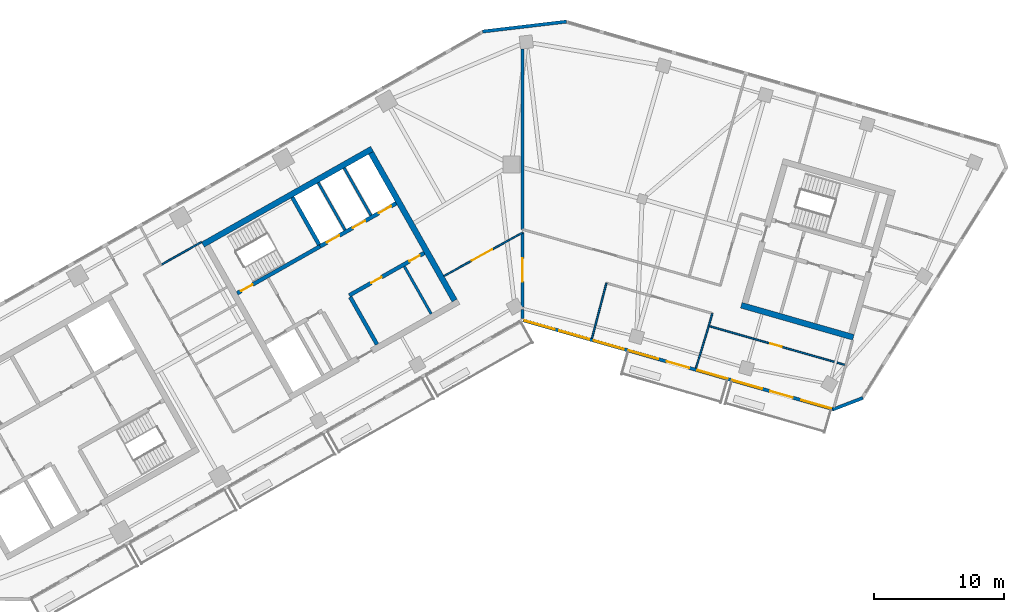
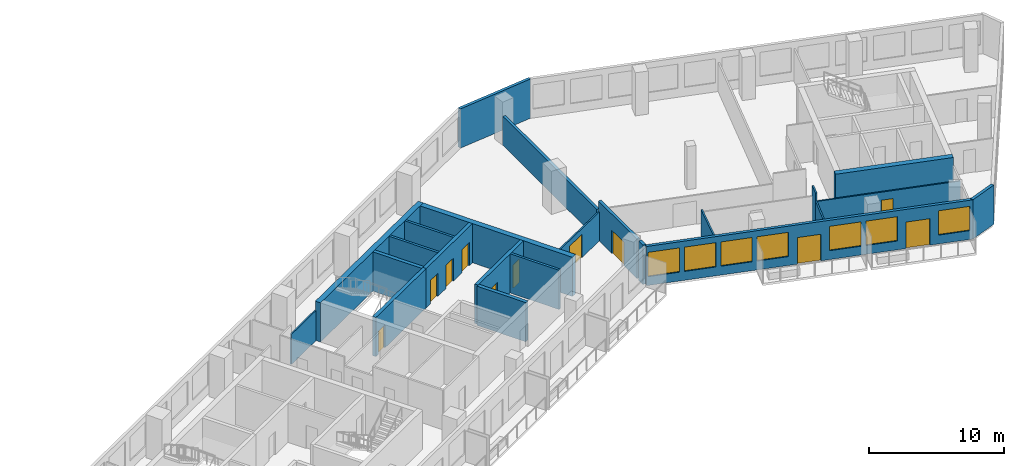
# One storey, part 6 of 11: 23 walls, 11 doors, 7 windows, 18 openings.
"""IFC4 building model written with IfcOpenShell, lengths in metres."""

from ifc_helpers import new_model, si_unit, direction, frame, frame_2d, origin, place, context, subcontext, project, spatial, rectangle, extrude, material, layer, layer_set, type_object, element, fill, save


model = new_model("IFC4")

# Units and contexts
model_context = context("Model", 3, precision=1e-05, world=origin(), true_north=direction((0.0, 1.0)))
body_context = subcontext(model_context, "Body", "Model", "MODEL_VIEW")
ifc_project = project(units=[si_unit("LENGTHUNIT", "METRE"), si_unit("AREAUNIT", "SQUARE_METRE"), si_unit("VOLUMEUNIT", "CUBIC_METRE"), si_unit("PLANEANGLEUNIT", "RADIAN"), si_unit("MASSUNIT", "GRAM", prefix="KILO")], contexts=[model_context])

# Site, building, storey
site_placement = place(None, origin())
site = spatial("IfcSite", under=ifc_project, at=site_placement, CompositionType="ELEMENT")
building_placement = place(site_placement, origin())
building = spatial("IfcBuilding", under=site, at=building_placement, Name="Binnacle Exchange Tower", CompositionType="ELEMENT")
storey_placement = place(building_placement, frame((0.0, 0.0, 227.0)))
storey = spatial("IfcBuildingStorey", under=building, at=storey_placement, Name="L50", CompositionType="ELEMENT", Elevation=227.0)

# Wall
ifc_material_1 = material(Name="Gypsum partition fire rated")
ifc_layer_1 = layer(ifc_material_1, 0.199951171875)
ifc_layer_set_1 = layer_set([ifc_layer_1], Name="Core partition 200")
wall_type_1 = type_object("IfcWallType", Name="Core partition 200", PredefinedType="PARTITIONING", material=ifc_layer_set_1)
wall_1_placement = place(storey_placement, frame((-9.11279296875, 52.14404296875, 0.0), z_axis=(0.0, 0.0, 1.0), x_axis=(0.492365617434, -0.870388475779, 0.0)))
element("IfcWall", 1, at=wall_1_placement, inside=storey, type_object=wall_type_1, Name="Core wall CRWC22", PredefinedType="PARTITIONING", context=body_context, shape_type="SweptSolid", body=[
    extrude(rectangle(XDim=4.199951171875, YDim=0.199951171875, at=frame_2d((2.10009765625, 0.0))), origin(), (0.0, 0.0, 1.0), 3.550048828125),
])

# Wall, openings, doors
ifc_material_2 = material(Name="Concrete C70/85", Category="concrete")
ifc_layer_2 = layer(ifc_material_2, 0.300048828125)
ifc_layer_set_2 = layer_set([ifc_layer_2], Name="Core wall - front 300")
wall_type_2 = type_object("IfcWallType", Name="Core wall - front 300", PredefinedType="SOLIDWALL", material=ifc_layer_set_2)
wall_2_placement = place(storey_placement, frame((-13.364501953125, 49.910888671875, 0.0), z_axis=(0.0, 0.0, 1.0), x_axis=(0.870352159619, 0.492429810477, 0.0)))
wall_2 = element("IfcWall", 2, at=wall_2_placement, inside=storey, type_object=wall_type_2, Name="Core wall CRWC3", PredefinedType="SOLIDWALL", context=body_context, shape_type="SweptSolid", body=[
    extrude(rectangle(XDim=6.64990234375, YDim=0.300048828125, at=frame_2d((3.324951171875, 0.0))), origin(), (0.0, 0.0, 1.0), 3.550048828125),
])
opening_1_placement = place(wall_2_placement, frame((1.949951171875, 0.0, 0.0)))
opening_1 = element("IfcOpeningElement", 3, at=opening_1_placement, cuts=wall_2, Name="Opening DC18", PredefinedType="OPENING", context=body_context, shape_type="SweptSolid", body=[
    extrude(rectangle(XDim=0.89990234375, YDim=2.10009765625, at=frame_2d((0.449951171875, 1.050048828125))), frame((0.0, 0.159912109375, 0.0), z_axis=(0.0, -1.0, 0.0), x_axis=(1.0, 0.0, 0.0)), (0.0, 0.0, 1.0), 0.320068359375),
])
opening_2_placement = place(wall_2_placement, frame((5.35009765625, 0.0, 0.0)))
opening_2 = element("IfcOpeningElement", 4, at=opening_2_placement, cuts=wall_2, Name="Opening DC19", PredefinedType="OPENING", context=body_context, shape_type="SweptSolid", body=[
    extrude(rectangle(XDim=0.89990234375, YDim=2.10009765625, at=frame_2d((0.449951171875, 1.050048828125))), frame((0.0, 0.159912109375, 0.0), z_axis=(0.0, -1.0, 0.0), x_axis=(1.0, 0.0, 0.0)), (0.0, 0.0, 1.0), 0.320068359375),
])
ifc_material_3 = material(Name="Steel door leaf", Category="steel")
door_type_1 = type_object("IfcDoorType", Name="Fire door 900", OperationType="NOTDEFINED", PredefinedType="DOOR", material=ifc_material_3)
door_1_placement = place(opening_1_placement, frame((0.89990234375, 0.0, 0.0), z_axis=(0.0, 0.0, 1.0), x_axis=(-1.0, 0.0, 0.0)))
door_1 = element("IfcDoor", 5, at=door_1_placement, inside=storey, type_object=door_type_1, Name="Core room door TELECOM RISER ROOM", OperationType="SINGLE_SWING_RIGHT", OverallHeight=2.10009765625, OverallWidth=0.89990234375, PredefinedType="DOOR", context=body_context, shape_type="SweptSolid", body=[
    extrude(rectangle(XDim=0.89990234375, YDim=2.10009765625, at=frame_2d((0.449951171875, 1.050048828125))), frame((0.0, 0.02490234375, 0.0), z_axis=(0.0, -1.0, 0.0), x_axis=(1.0, 0.0, 0.0)), (0.0, 0.0, 1.0), 0.050048828125),
])
fill(opening_1, door_1)
door_2_placement = place(opening_2_placement, frame((0.89990234375, 0.0, 0.0), z_axis=(0.0, 0.0, 1.0), x_axis=(-1.0, 0.0, 0.0)))
door_2 = element("IfcDoor", 6, at=door_2_placement, inside=storey, type_object=door_type_1, Name="Core room door IT STORE", OperationType="SINGLE_SWING_LEFT", OverallHeight=2.10009765625, OverallWidth=0.89990234375, PredefinedType="DOOR", context=body_context, shape_type="SweptSolid", body=[
    extrude(rectangle(XDim=0.89990234375, YDim=2.10009765625, at=frame_2d((0.449951171875, 1.050048828125))), frame((0.0, 0.02490234375, 0.0), z_axis=(0.0, -1.0, 0.0), x_axis=(1.0, 0.0, 0.0)), (0.0, 0.0, 1.0), 0.050048828125),
])
fill(opening_2, door_2)

wall_3_placement = place(storey_placement, frame((-15.6181640625, 53.69140625, 0.0), z_axis=(0.0, 0.0, 1.0), x_axis=(0.870358646884, 0.492418344291, 0.0)))
wall_3 = element("IfcWall", 7, at=wall_3_placement, inside=storey, type_object=wall_type_2, Name="Core wall CRWC5", PredefinedType="SOLIDWALL", context=body_context, shape_type="SweptSolid", body=[
    extrude(rectangle(XDim=6.749755859375, YDim=0.300048828125, at=frame_2d((3.375, 0.0))), origin(), (0.0, 0.0, 1.0), 3.550048828125),
])
opening_3_placement = place(wall_3_placement, frame((0.60009765625, 0.0, 0.0)))
opening_3 = element("IfcOpeningElement", 8, at=opening_3_placement, cuts=wall_3, Name="Opening LD5", PredefinedType="OPENING", context=body_context, shape_type="SweptSolid", body=[
    extrude(rectangle(XDim=1.10009765625, YDim=2.10009765625, at=frame_2d((0.550048828125, 1.050048828125))), frame((0.0, 0.159912109375, 0.0), z_axis=(0.0, -1.0, 0.0), x_axis=(1.0, 0.0, 0.0)), (0.0, 0.0, 1.0), 0.320068359375),
])
opening_4_placement = place(wall_3_placement, frame((2.89990234375, 0.0, 0.0)))
opening_4 = element("IfcOpeningElement", 9, at=opening_4_placement, cuts=wall_3, Name="Opening LD6", PredefinedType="OPENING", context=body_context, shape_type="SweptSolid", body=[
    extrude(rectangle(XDim=1.10009765625, YDim=2.10009765625, at=frame_2d((0.550048828125, 1.050048828125))), frame((0.0, 0.159912109375, 0.0), z_axis=(0.0, -1.0, 0.0), x_axis=(1.0, 0.0, 0.0)), (0.0, 0.0, 1.0), 0.320068359375),
])
opening_5_placement = place(wall_3_placement, frame((5.199951171875, 0.0, 0.0)))
opening_5 = element("IfcOpeningElement", 10, at=opening_5_placement, cuts=wall_3, Name="Opening LD7", PredefinedType="OPENING", context=body_context, shape_type="SweptSolid", body=[
    extrude(rectangle(XDim=1.10009765625, YDim=2.10009765625, at=frame_2d((0.550048828125, 1.050048828125))), frame((0.0, 0.159912109375, 0.0), z_axis=(0.0, -1.0, 0.0), x_axis=(1.0, 0.0, 0.0)), (0.0, 0.0, 1.0), 0.320068359375),
])
door_type_2 = type_object("IfcDoorType", Name="Fire door - lift landing 1100", OperationType="NOTDEFINED", PredefinedType="DOOR", material=ifc_material_3)
door_3_placement = place(opening_3_placement, origin())
door_3 = element("IfcDoor", 11, at=door_3_placement, inside=storey, type_object=door_type_2, Name="Landing door LD5 L50", OperationType="DOUBLE_DOOR_SLIDING", OverallHeight=2.10009765625, OverallWidth=1.10009765625, PredefinedType="DOOR", context=body_context, shape_type="SweptSolid", body=[
    extrude(rectangle(XDim=1.10009765625, YDim=2.10009765625, at=frame_2d((0.550048828125, 1.050048828125))), frame((0.0, 0.02490234375, 0.0), z_axis=(0.0, -1.0, 0.0), x_axis=(1.0, 0.0, 0.0)), (0.0, 0.0, 1.0), 0.050048828125),
])
fill(opening_3, door_3)
door_4_placement = place(opening_4_placement, origin())
door_4 = element("IfcDoor", 12, at=door_4_placement, inside=storey, type_object=door_type_2, Name="Landing door LD6 L50", OperationType="DOUBLE_DOOR_SLIDING", OverallHeight=2.10009765625, OverallWidth=1.10009765625, PredefinedType="DOOR", context=body_context, shape_type="SweptSolid", body=[
    extrude(rectangle(XDim=1.10009765625, YDim=2.10009765625, at=frame_2d((0.550048828125, 1.050048828125))), frame((0.0, 0.02490234375, 0.0), z_axis=(0.0, -1.0, 0.0), x_axis=(1.0, 0.0, 0.0)), (0.0, 0.0, 1.0), 0.050048828125),
])
fill(opening_4, door_4)
door_5_placement = place(opening_5_placement, origin())
door_5 = element("IfcDoor", 13, at=door_5_placement, inside=storey, type_object=door_type_2, Name="Landing door LD7 L50", OperationType="DOUBLE_DOOR_SLIDING", OverallHeight=2.10009765625, OverallWidth=1.10009765625, PredefinedType="DOOR", context=body_context, shape_type="SweptSolid", body=[
    extrude(rectangle(XDim=1.10009765625, YDim=2.10009765625, at=frame_2d((0.550048828125, 1.050048828125))), frame((0.0, 0.02490234375, 0.0), z_axis=(0.0, -1.0, 0.0), x_axis=(1.0, 0.0, 0.0)), (0.0, 0.0, 1.0), 0.050048828125),
])
fill(opening_5, door_5)

# Walls
wall_4_placement = place(storey_placement, frame((-13.29052734375, 49.780517578125, 0.0), z_axis=(0.0, 0.0, 1.0), x_axis=(0.492409653846, -0.870363563575, 0.0)))
element("IfcWall", 14, at=wall_4_placement, inside=storey, type_object=wall_type_2, Name="Core wall CRWC15", PredefinedType="SOLIDWALL", context=body_context, shape_type="SweptSolid", body=[
    extrude(rectangle(XDim=4.199951171875, YDim=0.300048828125, at=frame_2d((2.10009765625, 0.0))), origin(), (0.0, 0.0, 1.0), 3.550048828125),
])
ifc_layer_3 = layer(ifc_material_2, 0.449951171875)
ifc_layer_set_3 = layer_set([ifc_layer_3], Name="Core wall - outer 450")
wall_type_3 = type_object("IfcWallType", Name="Core wall - outer 450", PredefinedType="SOLIDWALL", material=ifc_layer_set_3)
wall_5_placement = place(storey_placement, frame((-24.659912109375, 53.832275390625, 0.0), z_axis=(0.0, 0.0, 1.0), x_axis=(0.870353598469, 0.492427267353, 0.0)))
element("IfcWall", 15, at=wall_5_placement, inside=storey, type_object=wall_type_3, Name="Core wall CRWC6", PredefinedType="SOLIDWALL", context=body_context, shape_type="SweptSolid", body=[
    extrude(rectangle(XDim=15.000244140625, YDim=0.449951171875, at=frame_2d((7.5, 0.0))), origin(), (0.0, 0.0, 1.0), 3.550048828125),
])
wall_6_placement = place(storey_placement, frame((-11.689453125, 60.912109375, 0.0), z_axis=(0.0, 0.0, 1.0), x_axis=(0.492421378713, -0.870356930107, 0.0)))
element("IfcWall", 16, at=wall_6_placement, inside=storey, type_object=wall_type_3, Name="Core wall CRWC24", PredefinedType="SOLIDWALL", context=body_context, shape_type="SweptSolid", body=[
    extrude(rectangle(XDim=13.099853515625, YDim=0.449951171875, at=frame_2d((6.5498046875, 0.0))), origin(), (0.0, 0.0, 1.0), 3.550048828125),
])
wall_7_placement = place(storey_placement, frame((16.889892578125, 49.149169921875, 0.0), z_axis=(0.0, 0.0, 1.0), x_axis=(0.96126248289, -0.275634611374, 0.0)))
element("IfcWall", 17, at=wall_7_placement, inside=storey, type_object=wall_type_3, Name="Core wall CRWD1", PredefinedType="SOLIDWALL", context=body_context, shape_type="SweptSolid", body=[
    extrude(rectangle(XDim=9.0, YDim=0.449951171875, at=frame_2d((4.5, 0.0))), origin(), (0.0, 0.0, 1.0), 3.550048828125),
])

# Wall, opening, door
ifc_layer_4 = layer(ifc_material_2, 0.300048828125)
ifc_layer_set_4 = layer_set([ifc_layer_4], Name="Core wall - stair 300")
wall_type_4 = type_object("IfcWallType", Name="Core wall - stair 300", PredefinedType="SOLIDWALL", material=ifc_layer_set_4)
wall_8_placement = place(storey_placement, frame((-22.015380859375, 50.072021484375, 0.0), z_axis=(0.0, 0.0, 1.0), x_axis=(0.870354900257, 0.492424966466, 0.0)))
wall_8 = element("IfcWall", 18, at=wall_8_placement, inside=storey, type_object=wall_type_4, Name="Core wall CRWC4", PredefinedType="SOLIDWALL", context=body_context, shape_type="SweptSolid", body=[
    extrude(rectangle(XDim=7.35009765625, YDim=0.300048828125, at=frame_2d((3.675048828125, 0.0))), origin(), (0.0, 0.0, 1.0), 3.550048828125),
])
opening_6_placement = place(wall_8_placement, frame((0.35009765625, 0.0, 0.0)))
opening_6 = element("IfcOpeningElement", 19, at=opening_6_placement, cuts=wall_8, Name="Opening DC1", PredefinedType="OPENING", context=body_context, shape_type="SweptSolid", body=[
    extrude(rectangle(XDim=1.0, YDim=2.10009765625, at=frame_2d((0.5, 1.050048828125))), frame((0.0, 0.159912109375, 0.0), z_axis=(0.0, -1.0, 0.0), x_axis=(1.0, 0.0, 0.0)), (0.0, 0.0, 1.0), 0.320068359375),
])
door_type_3 = type_object("IfcDoorType", Name="Fire door 1000", OperationType="NOTDEFINED", PredefinedType="DOOR", material=ifc_material_3)
door_6_placement = place(opening_6_placement, origin())
door_6 = element("IfcDoor", 20, at=door_6_placement, inside=storey, type_object=door_type_3, Name="Stair door ST-C1", OperationType="SINGLE_SWING_LEFT", OverallHeight=2.10009765625, OverallWidth=1.0, PredefinedType="DOOR", context=body_context, shape_type="SweptSolid", body=[
    extrude(rectangle(XDim=1.0, YDim=2.10009765625, at=frame_2d((0.5, 1.050048828125))), frame((0.0, 0.02490234375, 0.0), z_axis=(0.0, -1.0, 0.0), x_axis=(1.0, 0.0, 0.0)), (0.0, 0.0, 1.0), 0.050048828125),
])
fill(opening_6, door_6)

# Wall
wall_9_placement = place(storey_placement, frame((-17.76025390625, 57.477294921875, 0.0), z_axis=(0.0, 0.0, 1.0), x_axis=(0.49243456751, -0.870349468157, 0.0)))
element("IfcWall", 21, at=wall_9_placement, inside=storey, type_object=wall_type_4, Name="Core wall CRWC14", PredefinedType="SOLIDWALL", context=body_context, shape_type="SweptSolid", body=[
    extrude(rectangle(XDim=4.19970703125, YDim=0.300048828125, at=frame_2d((2.099853515625, 0.0))), origin(), (0.0, 0.0, 1.0), 3.550048828125),
])

# Wall, openings, doors, windows
ifc_material_4 = material(Name="Bronze aluminium cladding", Category="aluminium")
ifc_layer_5 = layer(ifc_material_4, 0.25)
ifc_layer_set_5 = layer_set([ifc_layer_5], Name="External wall - window wall 250")
wall_type_5 = type_object("IfcWallType", Name="External wall - window wall 250", PredefinedType="STANDARD", material=ifc_layer_set_5)
wall_10_placement = place(storey_placement, frame((24.034423828125, 41.108154296875, 0.0), z_axis=(0.0, 0.0, 1.0), x_axis=(-0.96126060691, 0.275641153683, 0.0)))
wall_10 = element("IfcWall", 22, at=wall_10_placement, inside=storey, type_object=wall_type_5, Name="External wall EW-G02 L50", PredefinedType="STANDARD", context=body_context, shape_type="SweptSolid", body=[
    extrude(rectangle(XDim=24.95068359375, YDim=0.25, at=frame_2d((12.475341796875, 0.0))), origin(), (0.0, 0.0, 1.0), 3.550048828125),
])
opening_7_placement = place(wall_10_placement, frame((22.416259765625, 0.0, 0.800048828125)))
opening_7 = element("IfcOpeningElement", 23, at=opening_7_placement, cuts=wall_10, Name="Opening WR1", PredefinedType="OPENING", context=body_context, shape_type="SweptSolid", body=[
    extrude(rectangle(XDim=2.39990234375, YDim=2.199951171875, at=frame_2d((1.199951171875, 1.10009765625))), frame((0.0, 0.135009765625, 0.0), z_axis=(0.0, -1.0, 0.0), x_axis=(1.0, 0.0, 0.0)), (0.0, 0.0, 1.0), 0.27001953125),
])
opening_8_placement = place(wall_10_placement, frame((19.642822265625, 0.0, 0.800048828125)))
opening_8 = element("IfcOpeningElement", 24, at=opening_8_placement, cuts=wall_10, Name="Opening WR1", PredefinedType="OPENING", context=body_context, shape_type="SweptSolid", body=[
    extrude(rectangle(XDim=2.39990234375, YDim=2.199951171875, at=frame_2d((1.199951171875, 1.10009765625))), frame((0.0, 0.135009765625, 0.0), z_axis=(0.0, -1.0, 0.0), x_axis=(1.0, 0.0, 0.0)), (0.0, 0.0, 1.0), 0.27001953125),
])
opening_9_placement = place(wall_10_placement, frame((16.869384765625, 0.0, 0.800048828125)))
opening_9 = element("IfcOpeningElement", 25, at=opening_9_placement, cuts=wall_10, Name="Opening WR1", PredefinedType="OPENING", context=body_context, shape_type="SweptSolid", body=[
    extrude(rectangle(XDim=2.39990234375, YDim=2.199951171875, at=frame_2d((1.199951171875, 1.10009765625))), frame((0.0, 0.135009765625, 0.0), z_axis=(0.0, -1.0, 0.0), x_axis=(1.0, 0.0, 0.0)), (0.0, 0.0, 1.0), 0.27001953125),
])
opening_10_placement = place(wall_10_placement, frame((14.095947265625, 0.0, 0.800048828125)))
opening_10 = element("IfcOpeningElement", 26, at=opening_10_placement, cuts=wall_10, Name="Opening WR1", PredefinedType="OPENING", context=body_context, shape_type="SweptSolid", body=[
    extrude(rectangle(XDim=2.39990234375, YDim=2.199951171875, at=frame_2d((1.199951171875, 1.10009765625))), frame((0.0, 0.135009765625, 0.0), z_axis=(0.0, -1.0, 0.0), x_axis=(1.0, 0.0, 0.0)), (0.0, 0.0, 1.0), 0.27001953125),
])
opening_11_placement = place(wall_10_placement, frame((11.622314453125, 0.0, 0.0)))
opening_11 = element("IfcOpeningElement", 27, at=opening_11_placement, cuts=wall_10, Name="Opening D-FS13-06", PredefinedType="OPENING", context=body_context, shape_type="SweptSolid", body=[
    extrude(rectangle(XDim=1.800048828125, YDim=2.39990234375, at=frame_2d((0.89990234375, 1.199951171875))), frame((0.0, 0.135009765625, 0.0), z_axis=(0.0, -1.0, 0.0), x_axis=(1.0, 0.0, 0.0)), (0.0, 0.0, 1.0), 0.27001953125),
])
opening_12_placement = place(wall_10_placement, frame((8.548828125, 0.0, 0.800048828125)))
opening_12 = element("IfcOpeningElement", 28, at=opening_12_placement, cuts=wall_10, Name="Opening WR1", PredefinedType="OPENING", context=body_context, shape_type="SweptSolid", body=[
    extrude(rectangle(XDim=2.39990234375, YDim=2.199951171875, at=frame_2d((1.199951171875, 1.10009765625))), frame((0.0, 0.135009765625, 0.0), z_axis=(0.0, -1.0, 0.0), x_axis=(1.0, 0.0, 0.0)), (0.0, 0.0, 1.0), 0.27001953125),
])
opening_13_placement = place(wall_10_placement, frame((5.775390625, 0.0, 0.800048828125)))
opening_13 = element("IfcOpeningElement", 29, at=opening_13_placement, cuts=wall_10, Name="Opening WR1", PredefinedType="OPENING", context=body_context, shape_type="SweptSolid", body=[
    extrude(rectangle(XDim=2.39990234375, YDim=2.199951171875, at=frame_2d((1.199951171875, 1.10009765625))), frame((0.0, 0.135009765625, 0.0), z_axis=(0.0, -1.0, 0.0), x_axis=(1.0, 0.0, 0.0)), (0.0, 0.0, 1.0), 0.27001953125),
])
opening_14_placement = place(wall_10_placement, frame((3.302001953125, 0.0, 0.0)))
opening_14 = element("IfcOpeningElement", 30, at=opening_14_placement, cuts=wall_10, Name="Opening D-FS13-07", PredefinedType="OPENING", context=body_context, shape_type="SweptSolid", body=[
    extrude(rectangle(XDim=1.800048828125, YDim=2.39990234375, at=frame_2d((0.89990234375, 1.199951171875))), frame((0.0, 0.135009765625, 0.0), z_axis=(0.0, -1.0, 0.0), x_axis=(1.0, 0.0, 0.0)), (0.0, 0.0, 1.0), 0.27001953125),
])
opening_15_placement = place(wall_10_placement, frame((0.228515625, 0.0, 0.800048828125)))
opening_15 = element("IfcOpeningElement", 31, at=opening_15_placement, cuts=wall_10, Name="Opening WR1", PredefinedType="OPENING", context=body_context, shape_type="SweptSolid", body=[
    extrude(rectangle(XDim=2.39990234375, YDim=2.199951171875, at=frame_2d((1.199951171875, 1.10009765625))), frame((0.0, 0.135009765625, 0.0), z_axis=(0.0, -1.0, 0.0), x_axis=(1.0, 0.0, 0.0)), (0.0, 0.0, 1.0), 0.27001953125),
])
ifc_material_5 = material(Name="Bronze anodised aluminium frame", Category="aluminium")
door_type_4 = type_object("IfcDoorType", Name="DB DOOR 1800x2400", OperationType="DOUBLE_DOOR_SINGLE_SWING", PredefinedType="DOOR", material=ifc_material_5)
door_7_placement = place(opening_11_placement, origin())
door_7 = element("IfcDoor", 32, at=door_7_placement, inside=storey, type_object=door_type_4, Name="Door D-FS13-06 L50", OperationType="DOUBLE_DOOR_SINGLE_SWING", OverallHeight=2.39990234375, OverallWidth=1.800048828125, PredefinedType="DOOR", context=body_context, shape_type="SweptSolid", body=[
    extrude(rectangle(XDim=1.800048828125, YDim=2.39990234375, at=frame_2d((0.89990234375, 1.199951171875))), frame((0.0, 0.02490234375, 0.0), z_axis=(0.0, -1.0, 0.0), x_axis=(1.0, 0.0, 0.0)), (0.0, 0.0, 1.0), 0.050048828125),
])
fill(opening_11, door_7)
door_8_placement = place(opening_14_placement, origin())
door_8 = element("IfcDoor", 33, at=door_8_placement, inside=storey, type_object=door_type_4, Name="Door D-FS13-07 L50", OperationType="DOUBLE_DOOR_SINGLE_SWING", OverallHeight=2.39990234375, OverallWidth=1.800048828125, PredefinedType="DOOR", context=body_context, shape_type="SweptSolid", body=[
    extrude(rectangle(XDim=1.800048828125, YDim=2.39990234375, at=frame_2d((0.89990234375, 1.199951171875))), frame((0.0, 0.02490234375, 0.0), z_axis=(0.0, -1.0, 0.0), x_axis=(1.0, 0.0, 0.0)), (0.0, 0.0, 1.0), 0.050048828125),
])
fill(opening_14, door_8)
window_type = type_object("IfcWindowType", Name="WR1 WINDOW 2400x2200", PartitioningType="SINGLE_PANEL", PredefinedType="WINDOW", material=ifc_material_5)
window_1_placement = place(opening_7_placement, origin())
window_1 = element("IfcWindow", 34, at=window_1_placement, inside=storey, type_object=window_type, Name="Window WR1 L50", OverallHeight=2.199951171875, OverallWidth=2.39990234375, PartitioningType="SINGLE_PANEL", PredefinedType="WINDOW", context=body_context, shape_type="SweptSolid", body=[
    extrude(rectangle(XDim=2.39990234375, YDim=2.199951171875, at=frame_2d((1.199951171875, 1.10009765625))), frame((0.0, 0.030029296875, 0.0), z_axis=(0.0, -1.0, 0.0), x_axis=(1.0, 0.0, 0.0)), (0.0, 0.0, 1.0), 0.06005859375),
])
fill(opening_7, window_1)
window_2_placement = place(opening_8_placement, origin())
window_2 = element("IfcWindow", 35, at=window_2_placement, inside=storey, type_object=window_type, Name="Window WR1 L50", OverallHeight=2.199951171875, OverallWidth=2.39990234375, PartitioningType="SINGLE_PANEL", PredefinedType="WINDOW", context=body_context, shape_type="SweptSolid", body=[
    extrude(rectangle(XDim=2.39990234375, YDim=2.199951171875, at=frame_2d((1.199951171875, 1.10009765625))), frame((0.0, 0.030029296875, 0.0), z_axis=(0.0, -1.0, 0.0), x_axis=(1.0, 0.0, 0.0)), (0.0, 0.0, 1.0), 0.06005859375),
])
fill(opening_8, window_2)
window_3_placement = place(opening_9_placement, origin())
window_3 = element("IfcWindow", 36, at=window_3_placement, inside=storey, type_object=window_type, Name="Window WR1 L50", OverallHeight=2.199951171875, OverallWidth=2.39990234375, PartitioningType="SINGLE_PANEL", PredefinedType="WINDOW", context=body_context, shape_type="SweptSolid", body=[
    extrude(rectangle(XDim=2.39990234375, YDim=2.199951171875, at=frame_2d((1.199951171875, 1.10009765625))), frame((0.0, 0.030029296875, 0.0), z_axis=(0.0, -1.0, 0.0), x_axis=(1.0, 0.0, 0.0)), (0.0, 0.0, 1.0), 0.06005859375),
])
fill(opening_9, window_3)
window_4_placement = place(opening_10_placement, origin())
window_4 = element("IfcWindow", 37, at=window_4_placement, inside=storey, type_object=window_type, Name="Window WR1 L50", OverallHeight=2.199951171875, OverallWidth=2.39990234375, PartitioningType="SINGLE_PANEL", PredefinedType="WINDOW", context=body_context, shape_type="SweptSolid", body=[
    extrude(rectangle(XDim=2.39990234375, YDim=2.199951171875, at=frame_2d((1.199951171875, 1.10009765625))), frame((0.0, 0.030029296875, 0.0), z_axis=(0.0, -1.0, 0.0), x_axis=(1.0, 0.0, 0.0)), (0.0, 0.0, 1.0), 0.06005859375),
])
fill(opening_10, window_4)
window_5_placement = place(opening_12_placement, origin())
window_5 = element("IfcWindow", 38, at=window_5_placement, inside=storey, type_object=window_type, Name="Window WR1 L50", OverallHeight=2.199951171875, OverallWidth=2.39990234375, PartitioningType="SINGLE_PANEL", PredefinedType="WINDOW", context=body_context, shape_type="SweptSolid", body=[
    extrude(rectangle(XDim=2.39990234375, YDim=2.199951171875, at=frame_2d((1.199951171875, 1.10009765625))), frame((0.0, 0.030029296875, 0.0), z_axis=(0.0, -1.0, 0.0), x_axis=(1.0, 0.0, 0.0)), (0.0, 0.0, 1.0), 0.06005859375),
])
fill(opening_12, window_5)
window_6_placement = place(opening_13_placement, origin())
window_6 = element("IfcWindow", 39, at=window_6_placement, inside=storey, type_object=window_type, Name="Window WR1 L50", OverallHeight=2.199951171875, OverallWidth=2.39990234375, PartitioningType="SINGLE_PANEL", PredefinedType="WINDOW", context=body_context, shape_type="SweptSolid", body=[
    extrude(rectangle(XDim=2.39990234375, YDim=2.199951171875, at=frame_2d((1.199951171875, 1.10009765625))), frame((0.0, 0.030029296875, 0.0), z_axis=(0.0, -1.0, 0.0), x_axis=(1.0, 0.0, 0.0)), (0.0, 0.0, 1.0), 0.06005859375),
])
fill(opening_13, window_6)
window_7_placement = place(opening_15_placement, origin())
window_7 = element("IfcWindow", 40, at=window_7_placement, inside=storey, type_object=window_type, Name="Window WR1 L50", OverallHeight=2.199951171875, OverallWidth=2.39990234375, PartitioningType="SINGLE_PANEL", PredefinedType="WINDOW", context=body_context, shape_type="SweptSolid", body=[
    extrude(rectangle(XDim=2.39990234375, YDim=2.199951171875, at=frame_2d((1.199951171875, 1.10009765625))), frame((0.0, 0.030029296875, 0.0), z_axis=(0.0, -1.0, 0.0), x_axis=(1.0, 0.0, 0.0)), (0.0, 0.0, 1.0), 0.06005859375),
])
fill(opening_15, window_7)

# Walls
wall_11_placement = place(storey_placement, frame((26.27001953125, 41.993408203125, 0.0), z_axis=(0.0, 0.0, 1.0), x_axis=(-0.933573798066, -0.358385216722, 0.0)))
element("IfcWall", 41, at=wall_11_placement, inside=storey, type_object=wall_type_5, Name="External wall EW-G03 L50", PredefinedType="STANDARD", context=body_context, shape_type="SweptSolid", body=[
    extrude(rectangle(XDim=2.479736328125, YDim=0.25, at=frame_2d((1.23974609375, 0.0))), origin(), (0.0, 0.0, 1.0), 3.550048828125),
])
wall_12_placement = place(storey_placement, frame((-3.0712890625, 70.2734375, 0.0), z_axis=(0.0, 0.0, 1.0), x_axis=(0.993064524962, 0.11757061394, 0.0)))
element("IfcWall", 42, at=wall_12_placement, inside=storey, type_object=wall_type_5, Name="External wall EW-G07 L50", PredefinedType="STANDARD", context=body_context, shape_type="SweptSolid", body=[
    extrude(rectangle(XDim=6.505859375, YDim=0.25, at=frame_2d((3.2529296875, 0.0))), origin(), (0.0, 0.0, 1.0), 3.550048828125),
])
ifc_material_6 = material(Name="Concrete fire wall C30/37", Category="concrete")
ifc_layer_6 = layer(ifc_material_6, 0.25)
ifc_layer_set_6 = layer_set([ifc_layer_6], Name="Fire wall - compartment 250")
wall_type_6 = type_object("IfcWallType", Name="Fire wall - compartment 250", PredefinedType="PARTITIONING", material=ifc_layer_set_6)
wall_13_placement = place(storey_placement, frame((0.0, 48.1298828125, 0.0), z_axis=(0.0, 0.0, 1.0), x_axis=(0.0, 1.0, 0.0)))
element("IfcWall", 43, at=wall_13_placement, inside=storey, type_object=wall_type_6, Name="Fire Wall W21", PredefinedType="PARTITIONING", context=body_context, shape_type="SweptSolid", body=[
    extrude(rectangle(XDim=0.674072265625, YDim=0.25, at=frame_2d((0.3369140625, 0.0))), origin(), (0.0, 0.0, 1.0), 3.550048828125),
])

# Wall, opening, door
wall_14_placement = place(storey_placement, frame((0.0, 49.014892578125, 0.0), z_axis=(0.0, 0.0, 1.0), x_axis=(0.0, 1.0, 0.0)))
wall_14 = element("IfcWall", 44, at=wall_14_placement, inside=storey, type_object=wall_type_6, Name="Fire Wall W22", PredefinedType="PARTITIONING", context=body_context, shape_type="SweptSolid", body=[
    extrude(rectangle(XDim=5.735107421875, YDim=0.25, at=frame_2d((2.86767578125, 0.0))), origin(), (0.0, 0.0, 1.0), 3.550048828125),
])
opening_16_placement = place(wall_14_placement, frame((1.949951171875, 0.0, 0.0)))
opening_16 = element("IfcOpeningElement", 45, at=opening_16_placement, cuts=wall_14, Name="Opening DL48-16", PredefinedType="OPENING", context=body_context, shape_type="SweptSolid", body=[
    extrude(rectangle(XDim=1.800048828125, YDim=2.10009765625, at=frame_2d((0.89990234375, 1.050048828125))), frame((0.0, 0.135009765625, 0.0), z_axis=(0.0, -1.0, 0.0), x_axis=(1.0, 0.0, 0.0)), (0.0, 0.0, 1.0), 0.27001953125),
])
door_type_5 = type_object("IfcDoorType", Name="Fire door 1800", OperationType="NOTDEFINED", PredefinedType="DOOR", material=ifc_material_3)
door_9_placement = place(opening_16_placement, origin())
door_9 = element("IfcDoor", 46, at=door_9_placement, inside=storey, type_object=door_type_5, Name="Door DL48-16", OperationType="DOUBLE_DOOR_SINGLE_SWING", OverallHeight=2.10009765625, OverallWidth=1.800048828125, PredefinedType="DOOR", context=body_context, shape_type="SweptSolid", body=[
    extrude(rectangle(XDim=1.800048828125, YDim=2.10009765625, at=frame_2d((0.89990234375, 1.050048828125))), frame((0.0, 0.02490234375, 0.0), z_axis=(0.0, -1.0, 0.0), x_axis=(1.0, 0.0, 0.0)), (0.0, 0.0, 1.0), 0.050048828125),
])
fill(opening_16, door_9)

# Walls
wall_15_placement = place(storey_placement, frame((0.0, 55.0, 0.0), z_axis=(0.0, 0.0, 1.0), x_axis=(0.0, 1.0, 0.0)))
element("IfcWall", 47, at=wall_15_placement, inside=storey, type_object=wall_type_6, Name="Fire Wall W23", PredefinedType="PARTITIONING", context=body_context, shape_type="SweptSolid", body=[
    extrude(rectangle(XDim=13.925048828125, YDim=0.25, at=frame_2d((6.96240234375, 0.0))), origin(), (0.0, 0.0, 1.0), 2.617919921875),
])
ifc_material_7 = material(Name="Gypsum partition")
ifc_layer_7 = layer(ifc_material_7, 0.125)
ifc_layer_set_7 = layer_set([ifc_layer_7], Name="Partition 125")
wall_type_7 = type_object("IfcWallType", Name="Partition 125", PredefinedType="PARTITIONING", material=ifc_layer_set_7)
wall_16_placement = place(storey_placement, frame((-27.89599609375, 52.260009765625, 0.0), z_axis=(0.0, 0.0, 1.0), x_axis=(0.870352535776, 0.492429145632, 0.0)))
element("IfcWall", 48, at=wall_16_placement, inside=storey, type_object=wall_type_7, Name="Partition W10", PredefinedType="PARTITIONING", context=body_context, shape_type="SweptSolid", body=[
    extrude(rectangle(XDim=3.590576171875, YDim=0.125, at=frame_2d((1.79541015625, 0.0))), origin(), (0.0, 0.0, 1.0), 2.721923828125),
])

# Wall, opening, door
wall_17_placement = place(storey_placement, frame((-6.052978515625, 51.405029296875, 0.0), z_axis=(0.0, 0.0, 1.0), x_axis=(0.875247434681, 0.483675436718, 0.0)))
wall_17 = element("IfcWall", 49, at=wall_17_placement, inside=storey, type_object=wall_type_7, Name="Partition W20", PredefinedType="PARTITIONING", context=body_context, shape_type="SweptSolid", body=[
    extrude(rectangle(XDim=6.915771484375, YDim=0.125, at=frame_2d((3.4580078125, 0.0))), origin(), (0.0, 0.0, 1.0), 2.617919921875),
])
opening_17_placement = place(wall_17_placement, frame((2.449951171875, 0.0, 0.0)))
opening_17 = element("IfcOpeningElement", 50, at=opening_17_placement, cuts=wall_17, Name="Opening DL48-09", PredefinedType="OPENING", context=body_context, shape_type="SweptSolid", body=[
    extrude(rectangle(XDim=1.800048828125, YDim=2.10009765625, at=frame_2d((0.89990234375, 1.050048828125))), frame((0.0, 0.072509765625, 0.0), z_axis=(0.0, -1.0, 0.0), x_axis=(1.0, 0.0, 0.0)), (0.0, 0.0, 1.0), 0.14501953125),
])
ifc_material_8 = material(Name="Timber door leaf", Category="wood")
door_type_6 = type_object("IfcDoorType", Name="Double door 1800", OperationType="NOTDEFINED", PredefinedType="DOOR", material=ifc_material_8)
door_10_placement = place(opening_17_placement, origin())
door_10 = element("IfcDoor", 51, at=door_10_placement, inside=storey, type_object=door_type_6, Name="Door DL48-09", OperationType="DOUBLE_DOOR_SINGLE_SWING", OverallHeight=2.10009765625, OverallWidth=1.800048828125, PredefinedType="DOOR", context=body_context, shape_type="SweptSolid", body=[
    extrude(rectangle(XDim=1.800048828125, YDim=2.10009765625, at=frame_2d((0.89990234375, 1.050048828125))), frame((0.0, 0.02490234375, 0.0), z_axis=(0.0, -1.0, 0.0), x_axis=(1.0, 0.0, 0.0)), (0.0, 0.0, 1.0), 0.050048828125),
])
fill(opening_17, door_10)

# Walls
wall_18_placement = place(storey_placement, frame((5.364013671875, 46.592041015625, 0.0), z_axis=(0.0, 0.0, 1.0), x_axis=(0.253446952203, 0.967349286669, 0.0)))
element("IfcWall", 52, at=wall_18_placement, inside=storey, type_object=wall_type_7, Name="Partition W25", PredefinedType="PARTITIONING", context=body_context, shape_type="SweptSolid", body=[
    extrude(rectangle(XDim=4.410888671875, YDim=0.125, at=frame_2d((2.20556640625, 0.0))), origin(), (0.0, 0.0, 1.0), 2.830078125),
])
wall_19_placement = place(storey_placement, frame((13.389892578125, 44.2900390625, 0.0), z_axis=(0.0, 0.0, 1.0), x_axis=(0.289389501276, 0.957211427299, 0.0)))
element("IfcWall", 53, at=wall_19_placement, inside=storey, type_object=wall_type_7, Name="Partition W29", PredefinedType="PARTITIONING", context=body_context, shape_type="SweptSolid", body=[
    extrude(rectangle(XDim=3.410888671875, YDim=0.125, at=frame_2d((1.70556640625, 0.0))), origin(), (0.0, 0.0, 1.0), 2.830078125),
])
wall_20_placement = place(storey_placement, frame((14.376953125, 47.554931640625, 0.0), z_axis=(0.0, 0.0, 1.0), x_axis=(0.275204870584, 0.961385603807, 0.0)))
element("IfcWall", 54, at=wall_20_placement, inside=storey, type_object=wall_type_7, Name="Partition W30", PredefinedType="PARTITIONING", context=body_context, shape_type="SweptSolid", body=[
    extrude(rectangle(XDim=0.999755859375, YDim=0.125, at=frame_2d((0.5, 0.0))), origin(), (0.0, 0.0, 1.0), 3.550048828125),
])

# Wall, opening, door
wall_21_placement = place(storey_placement, frame((14.376953125, 47.554931640625, 0.0), z_axis=(0.0, 0.0, 1.0), x_axis=(0.961263044958, -0.275632651182, 0.0)))
wall_21 = element("IfcWall", 55, at=wall_21_placement, inside=storey, type_object=wall_type_7, Name="Partition W31", PredefinedType="PARTITIONING", context=body_context, shape_type="SweptSolid", body=[
    extrude(rectangle(XDim=11.0, YDim=0.125, at=frame_2d((5.5, 0.0))), origin(), (0.0, 0.0, 1.0), 2.822021484375),
])
opening_18_placement = place(wall_21_placement, frame((4.949951171875, 0.0, 0.0)))
opening_18 = element("IfcOpeningElement", 56, at=opening_18_placement, cuts=wall_21, Name="Opening DL48-13", PredefinedType="OPENING", context=body_context, shape_type="SweptSolid", body=[
    extrude(rectangle(XDim=0.89990234375, YDim=2.10009765625, at=frame_2d((0.449951171875, 1.050048828125))), frame((0.0, 0.072509765625, 0.0), z_axis=(0.0, -1.0, 0.0), x_axis=(1.0, 0.0, 0.0)), (0.0, 0.0, 1.0), 0.14501953125),
])
door_type_7 = type_object("IfcDoorType", Name="Door 900", OperationType="NOTDEFINED", PredefinedType="DOOR", material=ifc_material_8)
door_11_placement = place(opening_18_placement, frame((0.89990234375, 0.0, 0.0), z_axis=(0.0, 0.0, 1.0), x_axis=(-1.0, 0.0, 0.0)))
door_11 = element("IfcDoor", 57, at=door_11_placement, inside=storey, type_object=door_type_7, Name="Door DL48-13", OperationType="SINGLE_SWING_RIGHT", OverallHeight=2.10009765625, OverallWidth=0.89990234375, PredefinedType="DOOR", context=body_context, shape_type="SweptSolid", body=[
    extrude(rectangle(XDim=0.89990234375, YDim=2.10009765625, at=frame_2d((0.449951171875, 1.050048828125))), frame((0.0, 0.02490234375, 0.0), z_axis=(0.0, -1.0, 0.0), x_axis=(1.0, 0.0, 0.0)), (0.0, 0.0, 1.0), 0.050048828125),
])
fill(opening_18, door_11)

# Walls
ifc_material_9 = material(Name="Masonry block wall", Category="masonry")
ifc_layer_8 = layer(ifc_material_9, 0.199951171875)
ifc_layer_set_8 = layer_set([ifc_layer_8], Name="Shaft wall 200")
wall_type_8 = type_object("IfcWallType", Name="Shaft wall 200", PredefinedType="SOLIDWALL", material=ifc_layer_set_8)
for number, where, z_axis, x_axis, name in (
    (58, (-15.75830078125, 58.60986328125, 0.0), (0.0, 0.0, 1.0), (0.492409653846, -0.870363563575, 0.0), "Core wall CRWC18"),
    (59, (-13.756591796875, 59.742431640625, 0.0), (0.0, 0.0, 1.0), (0.492409653846, -0.870363563575, 0.0), "Core wall CRWC21"),
):
    element("IfcWall", number, at=place(storey_placement, frame(where, z_axis=z_axis, x_axis=x_axis)), inside=storey, type_object=wall_type_8, Name=name, PredefinedType="SOLIDWALL", context=body_context, shape_type="SweptSolid", body=[
        extrude(rectangle(XDim=4.199951171875, YDim=0.199951171875, at=frame_2d((2.10009765625, 0.0))), origin(), (0.0, 0.0, 1.0), 3.550048828125),
    ])

save(model, "model.ifc")
